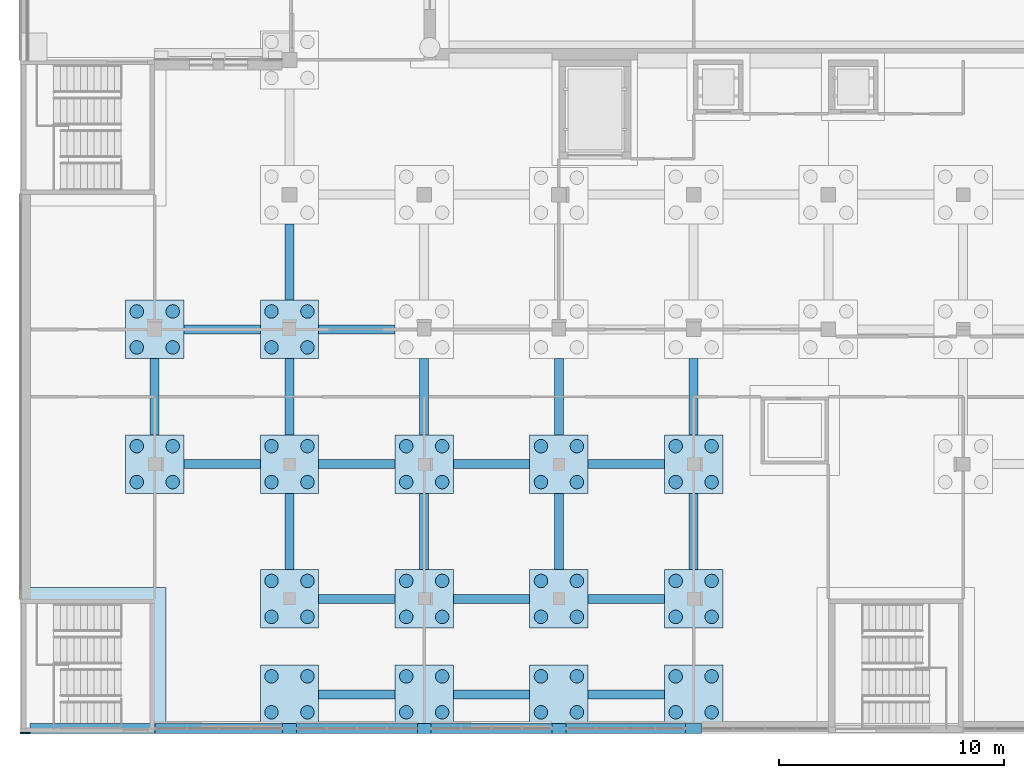
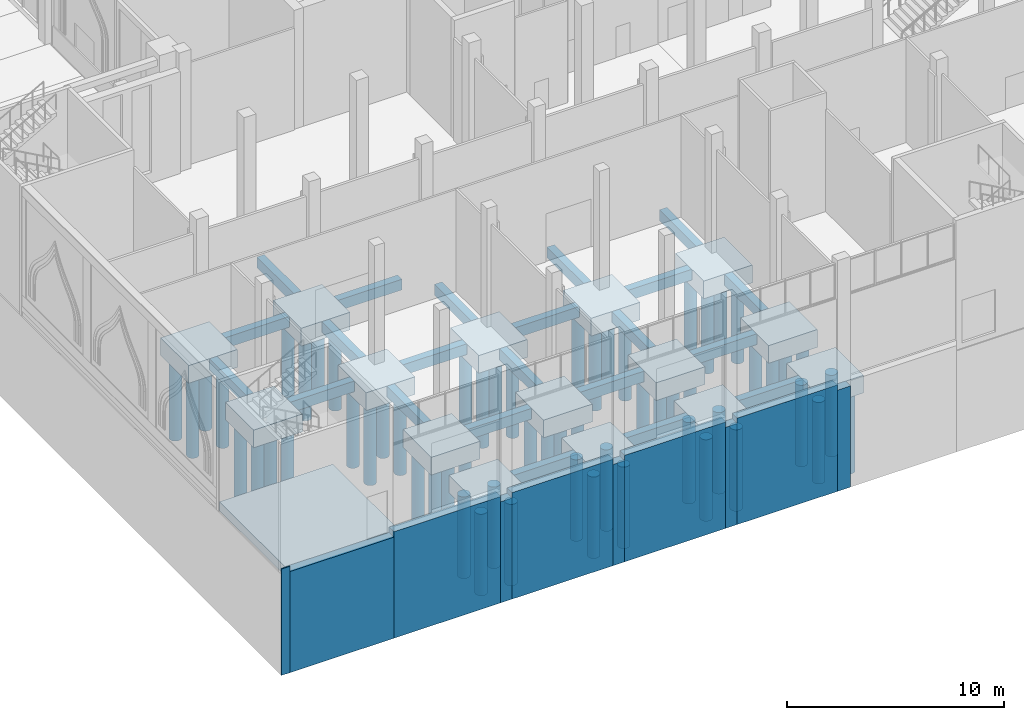
# One storey, part 1 of 95: 60 piles, 48 footings.
"""IFC4 building model written with IfcOpenShell, lengths in metres."""

from ifc_helpers import new_model, si_unit, direction, frame, origin, origin_2d, place, context, subcontext, project, spatial, polyline, circle, outline, extrude, material, material_profile, profile_set, type_object, element, save


model = new_model("IFC4")

# Units and contexts
model_context = context("Model", 3, precision=1e-05, world=origin(), true_north=direction((0.0, 1.0)))
body_context = subcontext(model_context, "Body", "Model", "MODEL_VIEW")
ifc_project = project(units=[si_unit("LENGTHUNIT", "METRE"), si_unit("AREAUNIT", "SQUARE_METRE"), si_unit("VOLUMEUNIT", "CUBIC_METRE"), si_unit("PLANEANGLEUNIT", "RADIAN"), si_unit("MASSUNIT", "GRAM", prefix="KILO")], contexts=[model_context])

# Site, building, storey
site_placement = place(None, origin())
site = spatial("IfcSite", under=ifc_project, at=site_placement, CompositionType="ELEMENT")
building_placement = place(site_placement, origin())
building = spatial("IfcBuilding", under=site, at=building_placement, Name="Saffron Lane Theatres", CompositionType="ELEMENT")
storey_placement = place(building_placement, origin())
storey = spatial("IfcBuildingStorey", under=building, at=storey_placement, Name="L00", CompositionType="ELEMENT", Elevation=0.0)

# Footings
ifc_material_1 = material(Name="Concrete N40 (40 MPa)", Category="concrete")
footing_type_1 = type_object("IfcFootingType", Name="FT-CAP 2600x2600x1000", PredefinedType="PILE_CAP", material=ifc_material_1)
footing_1_placement = place(storey_placement, frame((0.0, 0.0, -1.300048828125)))
element("IfcFooting", 1, at=footing_1_placement, inside=storey, type_object=footing_type_1, Name="foot-cap-C1", PredefinedType="PILE_CAP", context=body_context, shape_type="SweptSolid", body=[
    extrude(outline(polyline([(10.699951171875, 0.450439453125), (13.300048828125, 0.450439453125), (13.300048828125, 3.050537109375), (10.699951171875, 3.050537109375), (10.699951171875, 0.450439453125)])), origin(), (0.0, 0.0, 1.0), 1.0),
])
footing_2_placement = place(storey_placement, frame((0.0, 0.0, -1.300048828125)))
element("IfcFooting", 2, at=footing_2_placement, inside=storey, type_object=footing_type_1, Name="foot-cap-D1", PredefinedType="PILE_CAP", context=body_context, shape_type="SweptSolid", body=[
    extrude(outline(polyline([(16.699951171875, 0.450439453125), (19.300048828125, 0.450439453125), (19.300048828125, 3.050537109375), (16.699951171875, 3.050537109375), (16.699951171875, 0.450439453125)])), origin(), (0.0, 0.0, 1.0), 1.0),
])
footing_3_placement = place(storey_placement, frame((0.0, 0.0, -1.300048828125)))
element("IfcFooting", 3, at=footing_3_placement, inside=storey, type_object=footing_type_1, Name="foot-cap-E1", PredefinedType="PILE_CAP", context=body_context, shape_type="SweptSolid", body=[
    extrude(outline(polyline([(22.699951171875, 0.450439453125), (25.300048828125, 0.450439453125), (25.300048828125, 3.050537109375), (22.699951171875, 3.050537109375), (22.699951171875, 0.450439453125)])), origin(), (0.0, 0.0, 1.0), 1.0),
])
footing_4_placement = place(storey_placement, frame((0.0, 0.0, -1.300048828125)))
element("IfcFooting", 4, at=footing_4_placement, inside=storey, type_object=footing_type_1, Name="foot-cap-F1", PredefinedType="PILE_CAP", context=body_context, shape_type="SweptSolid", body=[
    extrude(outline(polyline([(28.699951171875, 0.450439453125), (31.300048828125, 0.450439453125), (31.300048828125, 3.050537109375), (28.699951171875, 3.050537109375), (28.699951171875, 0.450439453125)])), origin(), (0.0, 0.0, 1.0), 1.0),
])
footing_5_placement = place(storey_placement, frame((0.0, 0.0, -1.300048828125)))
element("IfcFooting", 5, at=footing_5_placement, inside=storey, type_object=footing_type_1, Name="foot-cap-C2", PredefinedType="PILE_CAP", context=body_context, shape_type="SweptSolid", body=[
    extrude(outline(polyline([(10.699951171875, 4.699951171875), (13.300048828125, 4.699951171875), (13.300048828125, 7.300048828125), (10.699951171875, 7.300048828125), (10.699951171875, 4.699951171875)])), origin(), (0.0, 0.0, 1.0), 1.0),
])
footing_6_placement = place(storey_placement, frame((0.0, 0.0, -1.300048828125)))
element("IfcFooting", 6, at=footing_6_placement, inside=storey, type_object=footing_type_1, Name="foot-cap-D2", PredefinedType="PILE_CAP", context=body_context, shape_type="SweptSolid", body=[
    extrude(outline(polyline([(16.699951171875, 4.699951171875), (19.300048828125, 4.699951171875), (19.300048828125, 7.300048828125), (16.699951171875, 7.300048828125), (16.699951171875, 4.699951171875)])), origin(), (0.0, 0.0, 1.0), 1.0),
])
footing_7_placement = place(storey_placement, frame((0.0, 0.0, -1.300048828125)))
element("IfcFooting", 7, at=footing_7_placement, inside=storey, type_object=footing_type_1, Name="foot-cap-E2", PredefinedType="PILE_CAP", context=body_context, shape_type="SweptSolid", body=[
    extrude(outline(polyline([(22.699951171875, 4.699951171875), (25.300048828125, 4.699951171875), (25.300048828125, 7.300048828125), (22.699951171875, 7.300048828125), (22.699951171875, 4.699951171875)])), origin(), (0.0, 0.0, 1.0), 1.0),
])
footing_8_placement = place(storey_placement, frame((0.0, 0.0, -1.300048828125)))
element("IfcFooting", 8, at=footing_8_placement, inside=storey, type_object=footing_type_1, Name="foot-cap-F2", PredefinedType="PILE_CAP", context=body_context, shape_type="SweptSolid", body=[
    extrude(outline(polyline([(28.699951171875, 4.699951171875), (31.300048828125, 4.699951171875), (31.300048828125, 7.300048828125), (28.699951171875, 7.300048828125), (28.699951171875, 4.699951171875)])), origin(), (0.0, 0.0, 1.0), 1.0),
])
footing_9_placement = place(storey_placement, frame((0.0, 0.0, -1.300048828125)))
element("IfcFooting", 9, at=footing_9_placement, inside=storey, type_object=footing_type_1, Name="foot-cap-B3", PredefinedType="PILE_CAP", context=body_context, shape_type="SweptSolid", body=[
    extrude(outline(polyline([(4.699951171875, 10.699951171875), (7.300048828125, 10.699951171875), (7.300048828125, 13.300048828125), (4.699951171875, 13.300048828125), (4.699951171875, 10.699951171875)])), origin(), (0.0, 0.0, 1.0), 1.0),
])
footing_10_placement = place(storey_placement, frame((0.0, 0.0, -1.300048828125)))
element("IfcFooting", 10, at=footing_10_placement, inside=storey, type_object=footing_type_1, Name="foot-cap-C3", PredefinedType="PILE_CAP", context=body_context, shape_type="SweptSolid", body=[
    extrude(outline(polyline([(10.699951171875, 10.699951171875), (13.300048828125, 10.699951171875), (13.300048828125, 13.300048828125), (10.699951171875, 13.300048828125), (10.699951171875, 10.699951171875)])), origin(), (0.0, 0.0, 1.0), 1.0),
])
footing_11_placement = place(storey_placement, frame((0.0, 0.0, -1.300048828125)))
element("IfcFooting", 11, at=footing_11_placement, inside=storey, type_object=footing_type_1, Name="foot-cap-D3", PredefinedType="PILE_CAP", context=body_context, shape_type="SweptSolid", body=[
    extrude(outline(polyline([(16.699951171875, 10.699951171875), (19.300048828125, 10.699951171875), (19.300048828125, 13.300048828125), (16.699951171875, 13.300048828125), (16.699951171875, 10.699951171875)])), origin(), (0.0, 0.0, 1.0), 1.0),
])
footing_12_placement = place(storey_placement, frame((0.0, 0.0, -1.300048828125)))
element("IfcFooting", 12, at=footing_12_placement, inside=storey, type_object=footing_type_1, Name="foot-cap-E3", PredefinedType="PILE_CAP", context=body_context, shape_type="SweptSolid", body=[
    extrude(outline(polyline([(22.699951171875, 10.699951171875), (25.300048828125, 10.699951171875), (25.300048828125, 13.300048828125), (22.699951171875, 13.300048828125), (22.699951171875, 10.699951171875)])), origin(), (0.0, 0.0, 1.0), 1.0),
])
footing_13_placement = place(storey_placement, frame((0.0, 0.0, -1.300048828125)))
element("IfcFooting", 13, at=footing_13_placement, inside=storey, type_object=footing_type_1, Name="foot-cap-F3", PredefinedType="PILE_CAP", context=body_context, shape_type="SweptSolid", body=[
    extrude(outline(polyline([(28.699951171875, 10.699951171875), (31.300048828125, 10.699951171875), (31.300048828125, 13.300048828125), (28.699951171875, 13.300048828125), (28.699951171875, 10.699951171875)])), origin(), (0.0, 0.0, 1.0), 1.0),
])
footing_14_placement = place(storey_placement, frame((0.0, 0.0, -1.300048828125)))
element("IfcFooting", 14, at=footing_14_placement, inside=storey, type_object=footing_type_1, Name="foot-cap-B4", PredefinedType="PILE_CAP", context=body_context, shape_type="SweptSolid", body=[
    extrude(outline(polyline([(4.699951171875, 16.699951171875), (7.300048828125, 16.699951171875), (7.300048828125, 19.300048828125), (4.699951171875, 19.300048828125), (4.699951171875, 16.699951171875)])), origin(), (0.0, 0.0, 1.0), 1.0),
])
footing_15_placement = place(storey_placement, frame((0.0, 0.0, -1.300048828125)))
element("IfcFooting", 15, at=footing_15_placement, inside=storey, type_object=footing_type_1, Name="foot-cap-C4", PredefinedType="PILE_CAP", context=body_context, shape_type="SweptSolid", body=[
    extrude(outline(polyline([(10.699951171875, 16.699951171875), (13.300048828125, 16.699951171875), (13.300048828125, 19.300048828125), (10.699951171875, 19.300048828125), (10.699951171875, 16.699951171875)])), origin(), (0.0, 0.0, 1.0), 1.0),
])
ifc_material_2 = material(Name="Concrete N40 (40 MPa)", Category="concrete")
footing_type_2 = type_object("IfcFootingType", Name="FT-KERB PERIMETER 450", PredefinedType="STRIP_FOOTING", material=ifc_material_2)
footing_16_placement = place(storey_placement, frame((0.0, 0.0, -6.0)))
element("IfcFooting", 16, at=footing_16_placement, inside=storey, type_object=footing_type_2, Name="Perimeter foundation wall", PredefinedType="STRIP_FOOTING", context=body_context, shape_type="SweptSolid", body=[
    extrude(outline(polyline([(0.450439453125, 0.054931640625), (0.00048828125, 0.054931640625), (0.00048828125, 0.00048828125), (0.450439453125, 0.00048828125), (0.450439453125, 0.054931640625)])), origin(), (0.0, 0.0, 1.0), 6.0),
])
footing_17_placement = place(storey_placement, frame((0.0, 0.0, -6.0)))
element("IfcFooting", 17, at=footing_17_placement, inside=storey, type_object=footing_type_2, Name="Perimeter foundation wall", PredefinedType="STRIP_FOOTING", context=body_context, shape_type="SweptSolid", body=[
    extrude(outline(polyline([(6.0048828125, 0.450439453125), (6.0048828125, 0.00048828125), (11.695068359375, 0.00048828125), (11.695068359375, 0.450439453125), (6.0048828125, 0.450439453125)])), origin(), (0.0, 0.0, 1.0), 6.0),
])
footing_18_placement = place(storey_placement, frame((0.0, 0.0, -6.0)))
element("IfcFooting", 18, at=footing_18_placement, inside=storey, type_object=footing_type_2, Name="Perimeter foundation wall", PredefinedType="STRIP_FOOTING", context=body_context, shape_type="SweptSolid", body=[
    extrude(outline(polyline([(12.304931640625, 0.450439453125), (12.304931640625, 0.00048828125), (17.695068359375, 0.00048828125), (17.695068359375, 0.450439453125), (12.304931640625, 0.450439453125)])), origin(), (0.0, 0.0, 1.0), 6.0),
])
footing_19_placement = place(storey_placement, frame((0.0, 0.0, -6.0)))
element("IfcFooting", 19, at=footing_19_placement, inside=storey, type_object=footing_type_2, Name="Perimeter foundation wall", PredefinedType="STRIP_FOOTING", context=body_context, shape_type="SweptSolid", body=[
    extrude(outline(polyline([(18.304931640625, 0.450439453125), (18.304931640625, 0.00048828125), (23.695068359375, 0.00048828125), (23.695068359375, 0.450439453125), (18.304931640625, 0.450439453125)])), origin(), (0.0, 0.0, 1.0), 6.0),
])
footing_20_placement = place(storey_placement, frame((0.0, 0.0, -6.0)))
element("IfcFooting", 20, at=footing_20_placement, inside=storey, type_object=footing_type_2, Name="Perimeter foundation wall", PredefinedType="STRIP_FOOTING", context=body_context, shape_type="SweptSolid", body=[
    extrude(outline(polyline([(24.304931640625, 0.450439453125), (24.304931640625, 0.00048828125), (29.64501953125, 0.00048828125), (29.64501953125, 0.450439453125), (24.304931640625, 0.450439453125)])), origin(), (0.0, 0.0, 1.0), 6.0),
])

# Piles
ifc_material_3 = material(Name="Concrete N40 (40 MPa)", Category="concrete")
ifc_material_profile = material_profile(ifc_material_3, circle(Radius=0.300048828125, at=origin_2d()))
ifc_profile_set = profile_set([ifc_material_profile], Name="Concrete N40 (40 MPa)")
pile_type = type_object("IfcPileType", Name="FT-PILE BORED 600", PredefinedType="BORED", material=ifc_profile_set)
for number, where, z_axis, x_axis, name in (
    (21, (11.199951171875, 0.950439453125, -1.199951171875), (0.0, 0.0, -1.0), (1.0, 0.0, 0.0), "pile-C1-1"),
    (22, (11.199951171875, 2.550537109375, -1.199951171875), (0.0, 0.0, -1.0), (1.0, 0.0, 0.0), "pile-C1-2"),
    (23, (12.800048828125, 0.950439453125, -1.199951171875), (0.0, 0.0, -1.0), (1.0, 0.0, 0.0), "pile-C1-3"),
    (24, (12.800048828125, 2.550537109375, -1.199951171875), (0.0, 0.0, -1.0), (1.0, 0.0, 0.0), "pile-C1-4"),
    (25, (17.199951171875, 0.950439453125, -1.199951171875), (0.0, 0.0, -1.0), (1.0, 0.0, 0.0), "pile-D1-1"),
    (26, (17.199951171875, 2.550537109375, -1.199951171875), (0.0, 0.0, -1.0), (1.0, 0.0, 0.0), "pile-D1-2"),
    (27, (18.800048828125, 0.950439453125, -1.199951171875), (0.0, 0.0, -1.0), (1.0, 0.0, 0.0), "pile-D1-3"),
    (28, (18.800048828125, 2.550537109375, -1.199951171875), (0.0, 0.0, -1.0), (1.0, 0.0, 0.0), "pile-D1-4"),
    (29, (23.199951171875, 0.950439453125, -1.199951171875), (0.0, 0.0, -1.0), (1.0, 0.0, 0.0), "pile-E1-1"),
    (30, (23.199951171875, 2.550537109375, -1.199951171875), (0.0, 0.0, -1.0), (1.0, 0.0, 0.0), "pile-E1-2"),
    (31, (24.800048828125, 0.950439453125, -1.199951171875), (0.0, 0.0, -1.0), (1.0, 0.0, 0.0), "pile-E1-3"),
    (32, (24.800048828125, 2.550537109375, -1.199951171875), (0.0, 0.0, -1.0), (1.0, 0.0, 0.0), "pile-E1-4"),
    (33, (29.199951171875, 0.950439453125, -1.199951171875), (0.0, 0.0, -1.0), (1.0, 0.0, 0.0), "pile-F1-1"),
    (34, (29.199951171875, 2.550537109375, -1.199951171875), (0.0, 0.0, -1.0), (1.0, 0.0, 0.0), "pile-F1-2"),
    (35, (30.800048828125, 0.950439453125, -1.199951171875), (0.0, 0.0, -1.0), (1.0, 0.0, 0.0), "pile-F1-3"),
    (36, (30.800048828125, 2.550537109375, -1.199951171875), (0.0, 0.0, -1.0), (1.0, 0.0, 0.0), "pile-F1-4"),
    (37, (11.199951171875, 5.199951171875, -1.199951171875), (0.0, 0.0, -1.0), (1.0, 0.0, 0.0), "pile-C2-1"),
    (38, (11.199951171875, 6.800048828125, -1.199951171875), (0.0, 0.0, -1.0), (1.0, 0.0, 0.0), "pile-C2-2"),
    (39, (12.800048828125, 5.199951171875, -1.199951171875), (0.0, 0.0, -1.0), (1.0, 0.0, 0.0), "pile-C2-3"),
    (40, (12.800048828125, 6.800048828125, -1.199951171875), (0.0, 0.0, -1.0), (1.0, 0.0, 0.0), "pile-C2-4"),
    (41, (17.199951171875, 5.199951171875, -1.199951171875), (0.0, 0.0, -1.0), (1.0, 0.0, 0.0), "pile-D2-1"),
    (42, (17.199951171875, 6.800048828125, -1.199951171875), (0.0, 0.0, -1.0), (1.0, 0.0, 0.0), "pile-D2-2"),
    (43, (18.800048828125, 5.199951171875, -1.199951171875), (0.0, 0.0, -1.0), (1.0, 0.0, 0.0), "pile-D2-3"),
    (44, (18.800048828125, 6.800048828125, -1.199951171875), (0.0, 0.0, -1.0), (1.0, 0.0, 0.0), "pile-D2-4"),
    (45, (23.199951171875, 5.199951171875, -1.199951171875), (0.0, 0.0, -1.0), (1.0, 0.0, 0.0), "pile-E2-1"),
    (46, (23.199951171875, 6.800048828125, -1.199951171875), (0.0, 0.0, -1.0), (1.0, 0.0, 0.0), "pile-E2-2"),
    (47, (24.800048828125, 5.199951171875, -1.199951171875), (0.0, 0.0, -1.0), (1.0, 0.0, 0.0), "pile-E2-3"),
    (48, (24.800048828125, 6.800048828125, -1.199951171875), (0.0, 0.0, -1.0), (1.0, 0.0, 0.0), "pile-E2-4"),
    (49, (29.199951171875, 5.199951171875, -1.199951171875), (0.0, 0.0, -1.0), (1.0, 0.0, 0.0), "pile-F2-1"),
    (50, (29.199951171875, 6.800048828125, -1.199951171875), (0.0, 0.0, -1.0), (1.0, 0.0, 0.0), "pile-F2-2"),
    (51, (30.800048828125, 5.199951171875, -1.199951171875), (0.0, 0.0, -1.0), (1.0, 0.0, 0.0), "pile-F2-3"),
    (52, (30.800048828125, 6.800048828125, -1.199951171875), (0.0, 0.0, -1.0), (1.0, 0.0, 0.0), "pile-F2-4"),
    (53, (5.199951171875, 11.199951171875, -1.199951171875), (0.0, 0.0, -1.0), (1.0, 0.0, 0.0), "pile-B3-1"),
    (54, (5.199951171875, 12.800048828125, -1.199951171875), (0.0, 0.0, -1.0), (1.0, 0.0, 0.0), "pile-B3-2"),
    (55, (6.800048828125, 11.199951171875, -1.199951171875), (0.0, 0.0, -1.0), (1.0, 0.0, 0.0), "pile-B3-3"),
    (56, (6.800048828125, 12.800048828125, -1.199951171875), (0.0, 0.0, -1.0), (1.0, 0.0, 0.0), "pile-B3-4"),
    (57, (11.199951171875, 11.199951171875, -1.199951171875), (0.0, 0.0, -1.0), (1.0, 0.0, 0.0), "pile-C3-1"),
    (58, (11.199951171875, 12.800048828125, -1.199951171875), (0.0, 0.0, -1.0), (1.0, 0.0, 0.0), "pile-C3-2"),
    (59, (12.800048828125, 11.199951171875, -1.199951171875), (0.0, 0.0, -1.0), (1.0, 0.0, 0.0), "pile-C3-3"),
    (60, (12.800048828125, 12.800048828125, -1.199951171875), (0.0, 0.0, -1.0), (1.0, 0.0, 0.0), "pile-C3-4"),
    (61, (17.199951171875, 11.199951171875, -1.199951171875), (0.0, 0.0, -1.0), (1.0, 0.0, 0.0), "pile-D3-1"),
    (62, (17.199951171875, 12.800048828125, -1.199951171875), (0.0, 0.0, -1.0), (1.0, 0.0, 0.0), "pile-D3-2"),
    (63, (18.800048828125, 11.199951171875, -1.199951171875), (0.0, 0.0, -1.0), (1.0, 0.0, 0.0), "pile-D3-3"),
    (64, (18.800048828125, 12.800048828125, -1.199951171875), (0.0, 0.0, -1.0), (1.0, 0.0, 0.0), "pile-D3-4"),
    (65, (23.199951171875, 11.199951171875, -1.199951171875), (0.0, 0.0, -1.0), (1.0, 0.0, 0.0), "pile-E3-1"),
    (66, (23.199951171875, 12.800048828125, -1.199951171875), (0.0, 0.0, -1.0), (1.0, 0.0, 0.0), "pile-E3-2"),
    (67, (24.800048828125, 11.199951171875, -1.199951171875), (0.0, 0.0, -1.0), (1.0, 0.0, 0.0), "pile-E3-3"),
    (68, (24.800048828125, 12.800048828125, -1.199951171875), (0.0, 0.0, -1.0), (1.0, 0.0, 0.0), "pile-E3-4"),
    (69, (29.199951171875, 11.199951171875, -1.199951171875), (0.0, 0.0, -1.0), (1.0, 0.0, 0.0), "pile-F3-1"),
    (70, (29.199951171875, 12.800048828125, -1.199951171875), (0.0, 0.0, -1.0), (1.0, 0.0, 0.0), "pile-F3-2"),
    (71, (30.800048828125, 11.199951171875, -1.199951171875), (0.0, 0.0, -1.0), (1.0, 0.0, 0.0), "pile-F3-3"),
    (72, (30.800048828125, 12.800048828125, -1.199951171875), (0.0, 0.0, -1.0), (1.0, 0.0, 0.0), "pile-F3-4"),
    (73, (5.199951171875, 17.199951171875, -1.199951171875), (0.0, 0.0, -1.0), (1.0, 0.0, 0.0), "pile-B4-1"),
    (74, (5.199951171875, 18.800048828125, -1.199951171875), (0.0, 0.0, -1.0), (1.0, 0.0, 0.0), "pile-B4-2"),
    (75, (6.800048828125, 17.199951171875, -1.199951171875), (0.0, 0.0, -1.0), (1.0, 0.0, 0.0), "pile-B4-3"),
    (76, (6.800048828125, 18.800048828125, -1.199951171875), (0.0, 0.0, -1.0), (1.0, 0.0, 0.0), "pile-B4-4"),
    (77, (11.199951171875, 17.199951171875, -1.199951171875), (0.0, 0.0, -1.0), (1.0, 0.0, 0.0), "pile-C4-1"),
    (78, (11.199951171875, 18.800048828125, -1.199951171875), (0.0, 0.0, -1.0), (1.0, 0.0, 0.0), "pile-C4-2"),
    (79, (12.800048828125, 17.199951171875, -1.199951171875), (0.0, 0.0, -1.0), (1.0, 0.0, 0.0), "pile-C4-3"),
    (80, (12.800048828125, 18.800048828125, -1.199951171875), (0.0, 0.0, -1.0), (1.0, 0.0, 0.0), "pile-C4-4"),
):
    element("IfcPile", number, at=place(storey_placement, frame(where, z_axis=z_axis, x_axis=x_axis)), inside=storey, type_object=pile_type, Name=name, PredefinedType="BORED", context=body_context, shape_type="SweptSolid", body=[
        extrude(circle(Radius=0.300048828125, at=origin_2d()), origin(), (0.0, 0.0, 1.0), 4.60009765625),
    ])

# Footings
ifc_material_4 = material(Name="Concrete N40 (40 MPa)", Category="concrete")
footing_type_3 = type_object("IfcFootingType", Name="FT-RAFT CORE 500", PredefinedType="PAD_FOOTING", material=ifc_material_4)
footing_21_placement = place(storey_placement, frame((0.0, 0.0, -0.800048828125)))
element("IfcFooting", 81, at=footing_21_placement, inside=storey, type_object=footing_type_3, Name="foot-raft-1", PredefinedType="PAD_FOOTING", context=body_context, shape_type="SweptSolid", body=[
    extrude(outline(polyline([(0.450439453125, 0.450439453125), (6.5, 0.450439453125), (6.5, 6.5), (0.450439453125, 6.5), (0.450439453125, 0.450439453125)])), origin(), (0.0, 0.0, 1.0), 0.5),
])
ifc_material_5 = material(Name="Concrete N40 (40 MPa)", Category="concrete")
footing_type_4 = type_object("IfcFootingType", Name="FT-TIE BEAM 400x600", PredefinedType="FOOTING_BEAM", material=ifc_material_5)
footing_22_placement = place(storey_placement, frame((0.0, 0.0, -0.89990234375)))
element("IfcFooting", 82, at=footing_22_placement, inside=storey, type_object=footing_type_4, Name="foot-tie-001", PredefinedType="FOOTING_BEAM", context=body_context, shape_type="SweptSolid", body=[
    extrude(outline(polyline([(13.300048828125, 1.550537109375), (16.699951171875, 1.550537109375), (16.699951171875, 1.950439453125), (13.300048828125, 1.950439453125), (13.300048828125, 1.550537109375)])), origin(), (0.0, 0.0, 1.0), 0.599853515625),
])
footing_23_placement = place(storey_placement, frame((0.0, 0.0, -0.89990234375)))
element("IfcFooting", 83, at=footing_23_placement, inside=storey, type_object=footing_type_4, Name="foot-tie-002", PredefinedType="FOOTING_BEAM", context=body_context, shape_type="SweptSolid", body=[
    extrude(outline(polyline([(19.300048828125, 1.550537109375), (22.699951171875, 1.550537109375), (22.699951171875, 1.950439453125), (19.300048828125, 1.950439453125), (19.300048828125, 1.550537109375)])), origin(), (0.0, 0.0, 1.0), 0.599853515625),
])
footing_24_placement = place(storey_placement, frame((0.0, 0.0, -0.89990234375)))
element("IfcFooting", 84, at=footing_24_placement, inside=storey, type_object=footing_type_4, Name="foot-tie-003", PredefinedType="FOOTING_BEAM", context=body_context, shape_type="SweptSolid", body=[
    extrude(outline(polyline([(25.300048828125, 1.550537109375), (28.699951171875, 1.550537109375), (28.699951171875, 1.950439453125), (25.300048828125, 1.950439453125), (25.300048828125, 1.550537109375)])), origin(), (0.0, 0.0, 1.0), 0.599853515625),
])
footing_25_placement = place(storey_placement, frame((0.0, 0.0, -0.89990234375)))
element("IfcFooting", 85, at=footing_25_placement, inside=storey, type_object=footing_type_4, Name="foot-tie-006", PredefinedType="FOOTING_BEAM", context=body_context, shape_type="SweptSolid", body=[
    extrude(outline(polyline([(13.300048828125, 5.800048828125), (16.699951171875, 5.800048828125), (16.699951171875, 6.199951171875), (13.300048828125, 6.199951171875), (13.300048828125, 5.800048828125)])), origin(), (0.0, 0.0, 1.0), 0.599853515625),
])
footing_26_placement = place(storey_placement, frame((0.0, 0.0, -0.89990234375)))
element("IfcFooting", 86, at=footing_26_placement, inside=storey, type_object=footing_type_4, Name="foot-tie-007", PredefinedType="FOOTING_BEAM", context=body_context, shape_type="SweptSolid", body=[
    extrude(outline(polyline([(11.800048828125, 7.300048828125), (12.199951171875, 7.300048828125), (12.199951171875, 10.699951171875), (11.800048828125, 10.699951171875), (11.800048828125, 7.300048828125)])), origin(), (0.0, 0.0, 1.0), 0.599853515625),
])
footing_27_placement = place(storey_placement, frame((0.0, 0.0, -0.89990234375)))
element("IfcFooting", 87, at=footing_27_placement, inside=storey, type_object=footing_type_4, Name="foot-tie-008", PredefinedType="FOOTING_BEAM", context=body_context, shape_type="SweptSolid", body=[
    extrude(outline(polyline([(19.300048828125, 5.800048828125), (22.699951171875, 5.800048828125), (22.699951171875, 6.199951171875), (19.300048828125, 6.199951171875), (19.300048828125, 5.800048828125)])), origin(), (0.0, 0.0, 1.0), 0.599853515625),
])
footing_28_placement = place(storey_placement, frame((0.0, 0.0, -0.89990234375)))
element("IfcFooting", 88, at=footing_28_placement, inside=storey, type_object=footing_type_4, Name="foot-tie-009", PredefinedType="FOOTING_BEAM", context=body_context, shape_type="SweptSolid", body=[
    extrude(outline(polyline([(17.800048828125, 7.300048828125), (18.199951171875, 7.300048828125), (18.199951171875, 10.699951171875), (17.800048828125, 10.699951171875), (17.800048828125, 7.300048828125)])), origin(), (0.0, 0.0, 1.0), 0.599853515625),
])
footing_29_placement = place(storey_placement, frame((0.0, 0.0, -0.89990234375)))
element("IfcFooting", 89, at=footing_29_placement, inside=storey, type_object=footing_type_4, Name="foot-tie-010", PredefinedType="FOOTING_BEAM", context=body_context, shape_type="SweptSolid", body=[
    extrude(outline(polyline([(25.300048828125, 5.800048828125), (28.699951171875, 5.800048828125), (28.699951171875, 6.199951171875), (25.300048828125, 6.199951171875), (25.300048828125, 5.800048828125)])), origin(), (0.0, 0.0, 1.0), 0.599853515625),
])
footing_30_placement = place(storey_placement, frame((0.0, 0.0, -0.89990234375)))
element("IfcFooting", 90, at=footing_30_placement, inside=storey, type_object=footing_type_4, Name="foot-tie-011", PredefinedType="FOOTING_BEAM", context=body_context, shape_type="SweptSolid", body=[
    extrude(outline(polyline([(23.800048828125, 7.300048828125), (24.199951171875, 7.300048828125), (24.199951171875, 10.699951171875), (23.800048828125, 10.699951171875), (23.800048828125, 7.300048828125)])), origin(), (0.0, 0.0, 1.0), 0.599853515625),
])
footing_31_placement = place(storey_placement, frame((0.0, 0.0, -0.89990234375)))
element("IfcFooting", 91, at=footing_31_placement, inside=storey, type_object=footing_type_4, Name="foot-tie-012", PredefinedType="FOOTING_BEAM", context=body_context, shape_type="SweptSolid", body=[
    extrude(outline(polyline([(29.800048828125, 7.300048828125), (30.199951171875, 7.300048828125), (30.199951171875, 10.699951171875), (29.800048828125, 10.699951171875), (29.800048828125, 7.300048828125)])), origin(), (0.0, 0.0, 1.0), 0.599853515625),
])
footing_32_placement = place(storey_placement, frame((0.0, 0.0, -0.89990234375)))
element("IfcFooting", 92, at=footing_32_placement, inside=storey, type_object=footing_type_4, Name="foot-tie-018", PredefinedType="FOOTING_BEAM", context=body_context, shape_type="SweptSolid", body=[
    extrude(outline(polyline([(7.300048828125, 11.800048828125), (10.699951171875, 11.800048828125), (10.699951171875, 12.199951171875), (7.300048828125, 12.199951171875), (7.300048828125, 11.800048828125)])), origin(), (0.0, 0.0, 1.0), 0.599853515625),
])
footing_33_placement = place(storey_placement, frame((0.0, 0.0, -0.89990234375)))
element("IfcFooting", 93, at=footing_33_placement, inside=storey, type_object=footing_type_4, Name="foot-tie-019", PredefinedType="FOOTING_BEAM", context=body_context, shape_type="SweptSolid", body=[
    extrude(outline(polyline([(5.800048828125, 13.300048828125), (6.199951171875, 13.300048828125), (6.199951171875, 16.699951171875), (5.800048828125, 16.699951171875), (5.800048828125, 13.300048828125)])), origin(), (0.0, 0.0, 1.0), 0.599853515625),
])
footing_34_placement = place(storey_placement, frame((0.0, 0.0, -0.89990234375)))
element("IfcFooting", 94, at=footing_34_placement, inside=storey, type_object=footing_type_4, Name="foot-tie-020", PredefinedType="FOOTING_BEAM", context=body_context, shape_type="SweptSolid", body=[
    extrude(outline(polyline([(13.300048828125, 11.800048828125), (16.699951171875, 11.800048828125), (16.699951171875, 12.199951171875), (13.300048828125, 12.199951171875), (13.300048828125, 11.800048828125)])), origin(), (0.0, 0.0, 1.0), 0.599853515625),
])
footing_35_placement = place(storey_placement, frame((0.0, 0.0, -0.89990234375)))
element("IfcFooting", 95, at=footing_35_placement, inside=storey, type_object=footing_type_4, Name="foot-tie-021", PredefinedType="FOOTING_BEAM", context=body_context, shape_type="SweptSolid", body=[
    extrude(outline(polyline([(11.800048828125, 13.300048828125), (12.199951171875, 13.300048828125), (12.199951171875, 16.699951171875), (11.800048828125, 16.699951171875), (11.800048828125, 13.300048828125)])), origin(), (0.0, 0.0, 1.0), 0.599853515625),
])
footing_36_placement = place(storey_placement, frame((0.0, 0.0, -0.89990234375)))
element("IfcFooting", 96, at=footing_36_placement, inside=storey, type_object=footing_type_4, Name="foot-tie-022", PredefinedType="FOOTING_BEAM", context=body_context, shape_type="SweptSolid", body=[
    extrude(outline(polyline([(19.300048828125, 11.800048828125), (22.699951171875, 11.800048828125), (22.699951171875, 12.199951171875), (19.300048828125, 12.199951171875), (19.300048828125, 11.800048828125)])), origin(), (0.0, 0.0, 1.0), 0.599853515625),
])
footing_37_placement = place(storey_placement, frame((0.0, 0.0, -0.89990234375)))
element("IfcFooting", 97, at=footing_37_placement, inside=storey, type_object=footing_type_4, Name="foot-tie-023", PredefinedType="FOOTING_BEAM", context=body_context, shape_type="SweptSolid", body=[
    extrude(outline(polyline([(17.800048828125, 13.300048828125), (18.199951171875, 13.300048828125), (18.199951171875, 16.699951171875), (17.800048828125, 16.699951171875), (17.800048828125, 13.300048828125)])), origin(), (0.0, 0.0, 1.0), 0.599853515625),
])
footing_38_placement = place(storey_placement, frame((0.0, 0.0, -0.89990234375)))
element("IfcFooting", 98, at=footing_38_placement, inside=storey, type_object=footing_type_4, Name="foot-tie-024", PredefinedType="FOOTING_BEAM", context=body_context, shape_type="SweptSolid", body=[
    extrude(outline(polyline([(25.300048828125, 11.800048828125), (28.699951171875, 11.800048828125), (28.699951171875, 12.199951171875), (25.300048828125, 12.199951171875), (25.300048828125, 11.800048828125)])), origin(), (0.0, 0.0, 1.0), 0.599853515625),
])
footing_39_placement = place(storey_placement, frame((0.0, 0.0, -0.89990234375)))
element("IfcFooting", 99, at=footing_39_placement, inside=storey, type_object=footing_type_4, Name="foot-tie-025", PredefinedType="FOOTING_BEAM", context=body_context, shape_type="SweptSolid", body=[
    extrude(outline(polyline([(23.800048828125, 13.300048828125), (24.199951171875, 13.300048828125), (24.199951171875, 16.699951171875), (23.800048828125, 16.699951171875), (23.800048828125, 13.300048828125)])), origin(), (0.0, 0.0, 1.0), 0.599853515625),
])
footing_40_placement = place(storey_placement, frame((0.0, 0.0, -0.89990234375)))
element("IfcFooting", 100, at=footing_40_placement, inside=storey, type_object=footing_type_4, Name="foot-tie-026", PredefinedType="FOOTING_BEAM", context=body_context, shape_type="SweptSolid", body=[
    extrude(outline(polyline([(29.800048828125, 13.300048828125), (30.199951171875, 13.300048828125), (30.199951171875, 16.699951171875), (29.800048828125, 16.699951171875), (29.800048828125, 13.300048828125)])), origin(), (0.0, 0.0, 1.0), 0.599853515625),
])
footing_41_placement = place(storey_placement, frame((0.0, 0.0, -0.89990234375)))
element("IfcFooting", 101, at=footing_41_placement, inside=storey, type_object=footing_type_4, Name="foot-tie-034", PredefinedType="FOOTING_BEAM", context=body_context, shape_type="SweptSolid", body=[
    extrude(outline(polyline([(7.300048828125, 17.800048828125), (10.699951171875, 17.800048828125), (10.699951171875, 18.199951171875), (7.300048828125, 18.199951171875), (7.300048828125, 17.800048828125)])), origin(), (0.0, 0.0, 1.0), 0.599853515625),
])
footing_42_placement = place(storey_placement, frame((0.0, 0.0, -0.89990234375)))
element("IfcFooting", 102, at=footing_42_placement, inside=storey, type_object=footing_type_4, Name="foot-tie-035", PredefinedType="FOOTING_BEAM", context=body_context, shape_type="SweptSolid", body=[
    extrude(outline(polyline([(13.300048828125, 17.800048828125), (16.699951171875, 17.800048828125), (16.699951171875, 18.199951171875), (13.300048828125, 18.199951171875), (13.300048828125, 17.800048828125)])), origin(), (0.0, 0.0, 1.0), 0.599853515625),
])
footing_43_placement = place(storey_placement, frame((0.0, 0.0, -0.89990234375)))
element("IfcFooting", 103, at=footing_43_placement, inside=storey, type_object=footing_type_4, Name="foot-tie-036", PredefinedType="FOOTING_BEAM", context=body_context, shape_type="SweptSolid", body=[
    extrude(outline(polyline([(11.800048828125, 19.300048828125), (12.199951171875, 19.300048828125), (12.199951171875, 22.699951171875), (11.800048828125, 22.699951171875), (11.800048828125, 19.300048828125)])), origin(), (0.0, 0.0, 1.0), 0.599853515625),
])
ifc_material_6 = material(Name="Concrete N40 (40 MPa)", Category="concrete")
footing_type_5 = type_object("IfcFootingType", Name="FT-WALL PERIMETER 450", PredefinedType="STRIP_FOOTING", material=ifc_material_6)
footing_44_placement = place(storey_placement, frame((0.0, 0.0, -6.0)))
element("IfcFooting", 104, at=footing_44_placement, inside=storey, type_object=footing_type_5, Name="Perimeter foundation wall", PredefinedType="STRIP_FOOTING", context=body_context, shape_type="SweptSolid", body=[
    extrude(outline(polyline([(0.450439453125, 0.450439453125), (0.450439453125, 0.00048828125), (6.0048828125, 0.00048828125), (6.0048828125, 0.450439453125), (0.450439453125, 0.450439453125)])), origin(), (0.0, 0.0, 1.0), 5.699951171875),
])
footing_45_placement = place(storey_placement, frame((0.0, 0.0, -6.0)))
element("IfcFooting", 105, at=footing_45_placement, inside=storey, type_object=footing_type_5, Name="Perimeter foundation wall", PredefinedType="STRIP_FOOTING", context=body_context, shape_type="SweptSolid", body=[
    extrude(outline(polyline([(11.695068359375, 0.450439453125), (11.695068359375, 0.00048828125), (12.304931640625, 0.00048828125), (12.304931640625, 0.450439453125), (11.695068359375, 0.450439453125)])), origin(), (0.0, 0.0, 1.0), 5.699951171875),
])
footing_46_placement = place(storey_placement, frame((0.0, 0.0, -6.0)))
element("IfcFooting", 106, at=footing_46_placement, inside=storey, type_object=footing_type_5, Name="Perimeter foundation wall", PredefinedType="STRIP_FOOTING", context=body_context, shape_type="SweptSolid", body=[
    extrude(outline(polyline([(17.695068359375, 0.450439453125), (17.695068359375, 0.00048828125), (18.304931640625, 0.00048828125), (18.304931640625, 0.450439453125), (17.695068359375, 0.450439453125)])), origin(), (0.0, 0.0, 1.0), 5.699951171875),
])
footing_47_placement = place(storey_placement, frame((0.0, 0.0, -6.0)))
element("IfcFooting", 107, at=footing_47_placement, inside=storey, type_object=footing_type_5, Name="Perimeter foundation wall", PredefinedType="STRIP_FOOTING", context=body_context, shape_type="SweptSolid", body=[
    extrude(outline(polyline([(23.695068359375, 0.450439453125), (23.695068359375, 0.00048828125), (24.304931640625, 0.00048828125), (24.304931640625, 0.450439453125), (23.695068359375, 0.450439453125)])), origin(), (0.0, 0.0, 1.0), 5.699951171875),
])
footing_48_placement = place(storey_placement, frame((0.0, 0.0, -6.0)))
element("IfcFooting", 108, at=footing_48_placement, inside=storey, type_object=footing_type_5, Name="Perimeter foundation wall", PredefinedType="STRIP_FOOTING", context=body_context, shape_type="SweptSolid", body=[
    extrude(outline(polyline([(29.64501953125, 0.450439453125), (29.64501953125, 0.00048828125), (30.35498046875, 0.00048828125), (30.35498046875, 0.450439453125), (29.64501953125, 0.450439453125)])), origin(), (0.0, 0.0, 1.0), 5.699951171875),
])

save(model, "model.ifc")
